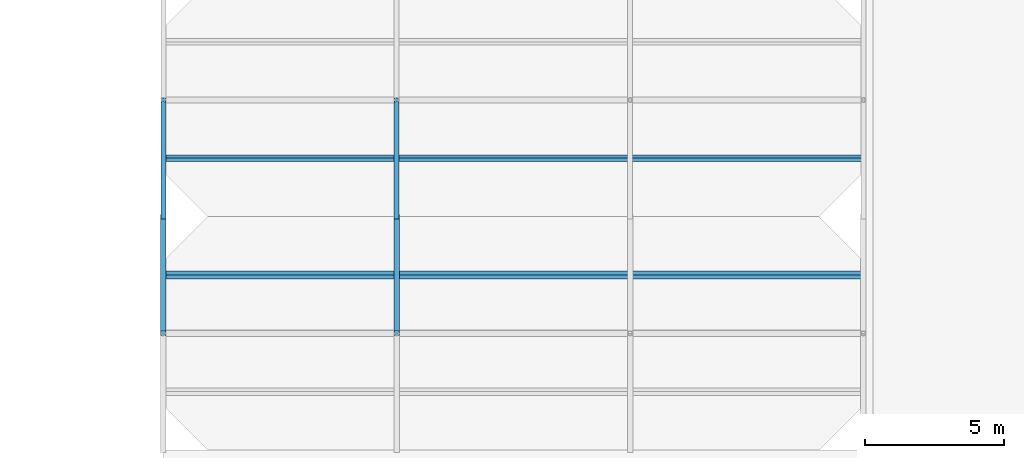
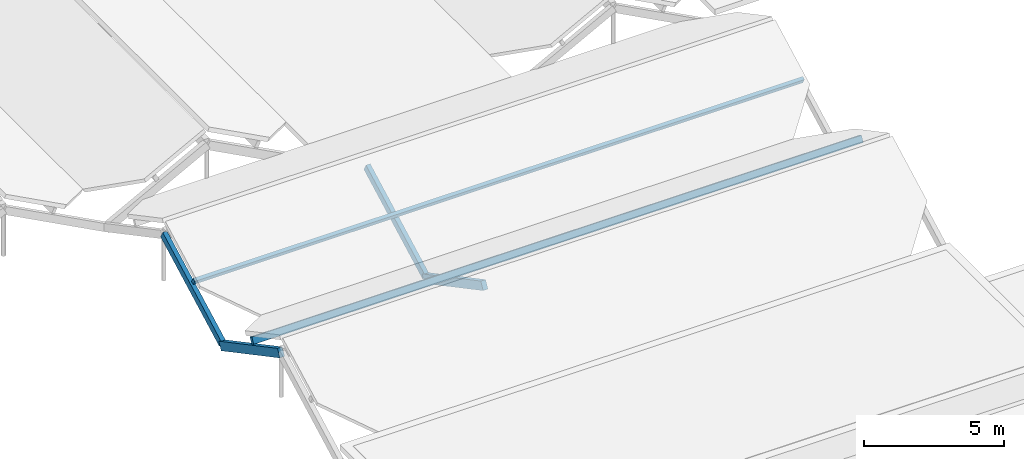
# One storey, part 56 of 82: 6 members.
"""IFC4 building model written with IfcOpenShell, lengths in metres."""

from ifc_helpers import new_model, si_unit, direction, frame, origin, origin_2d, place, context, subcontext, project, spatial, rectangle, extrude, material, material_profile, profile_set, type_object, element, save


model = new_model("IFC4")

# Units and contexts
model_context = context("Model", 3, precision=1e-05, world=origin(), true_north=direction((0.0, 1.0)))
body_context = subcontext(model_context, "Body", "Model", "MODEL_VIEW")
ifc_project = project(units=[si_unit("LENGTHUNIT", "METRE"), si_unit("AREAUNIT", "SQUARE_METRE"), si_unit("VOLUMEUNIT", "CUBIC_METRE"), si_unit("PLANEANGLEUNIT", "RADIAN"), si_unit("MASSUNIT", "GRAM", prefix="KILO")], contexts=[model_context])

# Site, building, storey
site_placement = place(None, origin())
site = spatial("IfcSite", under=ifc_project, at=site_placement, CompositionType="ELEMENT")
building_placement = place(site_placement, origin())
building = spatial("IfcBuilding", under=site, at=building_placement, Name="Bramfleet General Hospital", CompositionType="ELEMENT")
storey_placement = place(building_placement, frame((0.0, 0.0, 34.199951171875)))
storey = spatial("IfcBuildingStorey", under=building, at=storey_placement, Name="Roof", CompositionType="ELEMENT", Elevation=34.199951171875)

# Members
ifc_material = material(Name="Structural timber GL28h", Category="wood")
ifc_material_profile_1 = material_profile(ifc_material, rectangle(XDim=0.139892578125, YDim=0.239990234375, at=origin_2d()), Name="GL28h 240x140")
ifc_profile_set_1 = profile_set([ifc_material_profile_1], Name="Structural timber GL28h")
member_type_1 = type_object("IfcMemberType", Name="MEM-PR-GL240", PredefinedType="PURLIN", material=ifc_profile_set_1)
member_1_placement = place(storey_placement, frame((92.39990234375, 86.10009765625, 0.754638671875), z_axis=(1.0, 0.0, 0.0), x_axis=(0.0, 0.882947592859, 0.469471562786)))
element("IfcMember", 1, at=member_1_placement, inside=storey, type_object=member_type_1, Name="Patient House PH-14 South Glulam Purlin", PredefinedType="PURLIN", context=body_context, shape_type="SweptSolid", body=[
    extrude(rectangle(XDim=0.139892578125, YDim=0.239990234375, at=origin_2d()), origin(), (0.0, 0.0, 1.0), 25.2001953125),
])
ifc_material_profile_2 = material_profile(ifc_material, rectangle(XDim=0.159912109375, YDim=0.280029296875, at=origin_2d()), Name="GL28h 280x160")
ifc_profile_set_2 = profile_set([ifc_material_profile_2], Name="Structural timber GL28h")
member_type_2 = type_object("IfcMemberType", Name="MEM-PR-GL280", PredefinedType="PURLIN", material=ifc_profile_set_2)
member_2_placement = place(storey_placement, frame((92.39990234375, 81.89990234375, 0.71533203125), z_axis=(1.0, 0.0, 0.0), x_axis=(0.0, 0.882947592859, -0.469471562786)))
element("IfcMember", 2, at=member_2_placement, inside=storey, type_object=member_type_2, Name="Patient House PH-13 North Glulam Purlin", PredefinedType="PURLIN", context=body_context, shape_type="SweptSolid", body=[
    extrude(rectangle(XDim=0.159912109375, YDim=0.280029296875, at=origin_2d()), origin(), (0.0, 0.0, 1.0), 25.2001953125),
])
ifc_material_profile_3 = material_profile(ifc_material, rectangle(XDim=0.179931640625, YDim=0.320068359375, at=origin_2d()), Name="GL28h 320x180")
ifc_profile_set_3 = profile_set([ifc_material_profile_3], Name="Structural timber GL28h")
member_type_3 = type_object("IfcMemberType", Name="MEM-RF-GL320", PredefinedType="RAFTER", material=ifc_profile_set_3)
for number, where, z_axis, x_axis, name in (
    (3, (92.39990234375, 84.0, -0.671875), (0.0, 0.882947536541, 0.469471668705), (-1.0, 0.0, 0.0), "Patient House PH-14 South Glulam Rafter 0"),
    (4, (100.800048828125, 84.0, -0.671875), (0.0, 0.882947536541, 0.469471668705), (-1.0, 0.0, 0.0), "Patient House PH-14 South Glulam Rafter 1"),
):
    element("IfcMember", number, at=place(storey_placement, frame(where, z_axis=z_axis, x_axis=x_axis)), inside=storey, type_object=member_type_3, Name=name, PredefinedType="RAFTER", context=body_context, shape_type="SweptSolid", body=[
        extrude(rectangle(XDim=0.179931640625, YDim=0.320068359375, at=origin_2d()), origin(), (0.0, 0.0, 1.0), 4.7568359375),
    ])
ifc_material_profile_4 = material_profile(ifc_material, rectangle(XDim=0.199951171875, YDim=0.360107421875, at=origin_2d()), Name="GL28h 360x200")
ifc_profile_set_4 = profile_set([ifc_material_profile_4], Name="Structural timber GL28h")
member_type_4 = type_object("IfcMemberType", Name="MEM-RF-GL360", PredefinedType="RAFTER", material=ifc_profile_set_4)
for number, where, z_axis, x_axis, name in (
    (5, (92.39990234375, 79.800048828125, 1.476806640625), (0.0, 0.882947536541, -0.469471668705), (-1.0, 0.0, 0.0), "Patient House PH-13 North Glulam Rafter 0"),
    (6, (100.800048828125, 79.800048828125, 1.476806640625), (0.0, 0.882947536541, -0.469471668705), (-1.0, 0.0, 0.0), "Patient House PH-13 North Glulam Rafter 1"),
):
    element("IfcMember", number, at=place(storey_placement, frame(where, z_axis=z_axis, x_axis=x_axis)), inside=storey, type_object=member_type_4, Name=name, PredefinedType="RAFTER", context=body_context, shape_type="SweptSolid", body=[
        extrude(rectangle(XDim=0.199951171875, YDim=0.360107421875, at=origin_2d()), origin(), (0.0, 0.0, 1.0), 4.7568359375),
    ])

save(model, "model.ifc")
